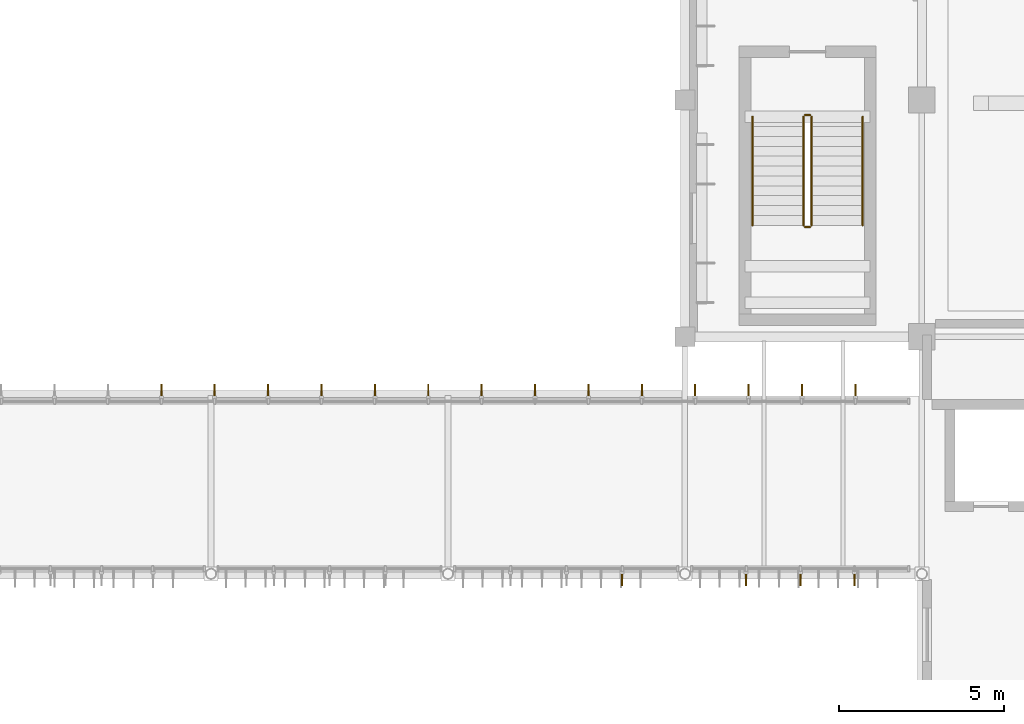
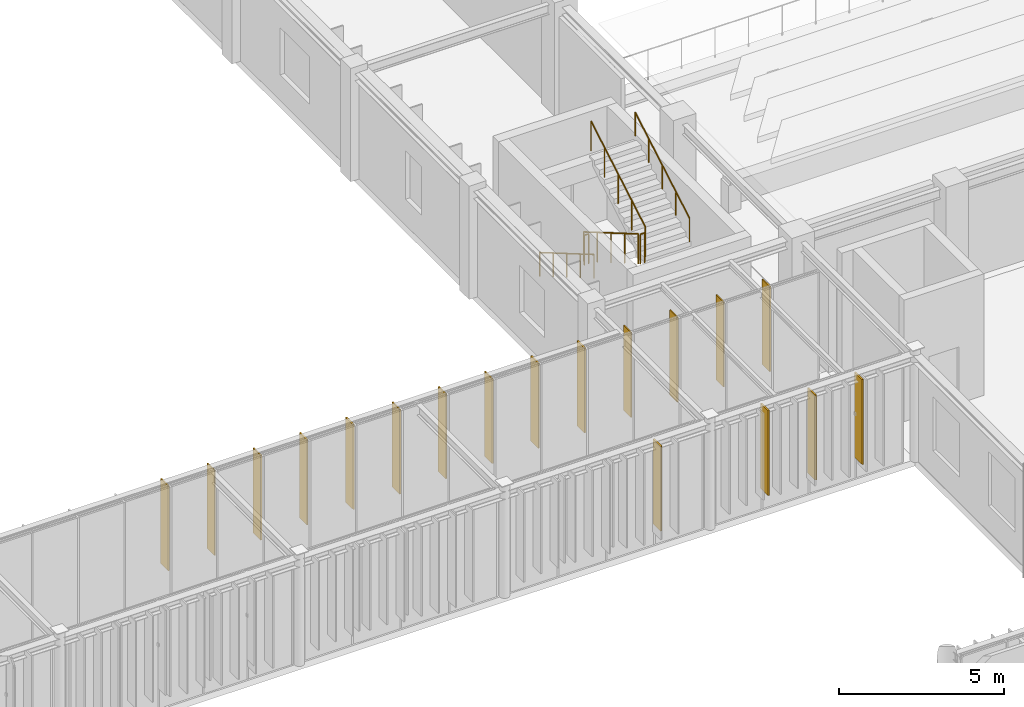
# One storey, part 92 of 104: 18 shading devices, 6 railings.
"""IFC4 building model written with IfcOpenShell, lengths in metres."""

from ifc_helpers import new_model, si_unit, direction, frame, origin, origin_2d, place, context, subcontext, project, spatial, rectangle, circle, extrude, material, layer, layer_set, material_profile, profile_set, type_object, element, save


model = new_model("IFC4")

# Units and contexts
model_context = context("Model", 3, precision=1e-05, world=origin(), true_north=direction((0.0, 1.0)))
body_context = subcontext(model_context, "Body", "Model", "MODEL_VIEW")
ifc_project = project(units=[si_unit("LENGTHUNIT", "METRE"), si_unit("AREAUNIT", "SQUARE_METRE"), si_unit("VOLUMEUNIT", "CUBIC_METRE"), si_unit("PLANEANGLEUNIT", "RADIAN"), si_unit("MASSUNIT", "GRAM", prefix="KILO")], contexts=[model_context])

# Site, building, storey
site_placement = place(None, origin())
site = spatial("IfcSite", under=ifc_project, at=site_placement, CompositionType="ELEMENT")
building_placement = place(site_placement, origin())
building = spatial("IfcBuilding", under=site, at=building_placement, Name="Tazoul Stagehouse", CompositionType="ELEMENT")
storey_placement = place(building_placement, frame((0.0, 0.0, 9.0)))
storey = spatial("IfcBuildingStorey", under=building, at=storey_placement, Name="L02", CompositionType="ELEMENT", Elevation=9.0)

# Shading devices
ifc_material_1 = material(Name="Anodised Bronze Aluminium 6063-T6", Category="aluminium")
ifc_layer_1 = layer(ifc_material_1, 0.050048828125, Name="Anodised Bronze Aluminium 6063-T6")
ifc_layer_set_1 = layer_set([ifc_layer_1], Name="Anodised Bronze Aluminium 6063-T6")
shading_device_type_1 = type_object("IfcShadingDeviceType", Name="Angled Acoustic Sun-Screen Blade 460", PredefinedType="USERDEFINED", material=ifc_layer_set_1)
for number, where, z_axis, x_axis, name in (
    (1, (48.493896484375, 44.469970703125, 0.75), (0.0, 0.0, 1.0), (1.0, 0.0, 0.0), "Shading Louvre FIN-02 CW-WLNK-S-L02-B3-SHD03"),
    (2, (52.259033203125, 44.469970703125, 0.75), (0.0, 0.0, 1.0), (1.0, 0.0, 0.0), "Shading Louvre FIN-02 CW-WLNK-S-L02-B4-SHD01"),
    (3, (55.552978515625, 44.469970703125, 0.75), (0.0, 0.0, 1.0), (1.0, 0.0, 0.0), "Shading Louvre FIN-02 CW-WLNK-S-L02-B4-SHD03"),
    (4, (36.111083984375, 50.1298828125, 0.75), (0.0, 0.0, 1.0), (1.0, 0.0, 0.0), "Shading Louvre FIN-02 CW-WLNK-N-L02-SHD05"),
    (5, (39.355712890625, 50.1298828125, 0.75), (0.0, 0.0, 1.0), (1.0, 0.0, 0.0), "Shading Louvre FIN-02 CW-WLNK-N-L02-SHD07"),
    (6, (42.60009765625, 50.1298828125, 0.75), (0.0, 0.0, 1.0), (1.0, 0.0, 0.0), "Shading Louvre FIN-02 CW-WLNK-N-L02-SHD09"),
    (7, (45.844482421875, 50.1298828125, 0.75), (0.0, 0.0, 1.0), (1.0, 0.0, 0.0), "Shading Louvre FIN-02 CW-WLNK-N-L02-SHD11"),
    (8, (49.0888671875, 50.1298828125, 0.75), (0.0, 0.0, 1.0), (1.0, 0.0, 0.0), "Shading Louvre FIN-02 CW-WLNK-N-L02-SHD13"),
    (9, (52.333251953125, 50.1298828125, 0.75), (0.0, 0.0, 1.0), (1.0, 0.0, 0.0), "Shading Louvre FIN-02 CW-WLNK-N-L02-SHD15"),
    (10, (55.577880859375, 50.1298828125, 0.75), (0.0, 0.0, 1.0), (1.0, 0.0, 0.0), "Shading Louvre FIN-02 CW-WLNK-N-L02-SHD17"),
):
    element("IfcShadingDevice", number, at=place(storey_placement, frame(where, z_axis=z_axis, x_axis=x_axis)), inside=storey, type_object=shading_device_type_1, Name=name, ObjectType="FIN", PredefinedType="USERDEFINED", context=body_context, shape_type="SweptSolid", body=[
        extrude(rectangle(XDim=0.044921875, YDim=0.4599609375, at=origin_2d()), origin(), (0.0, 0.0, 1.0), 3.14990234375),
    ])

# Railings
ifc_material_2 = material(Name="Brushed Stainless Steel 316L", Category="steel")
ifc_material_profile_1 = material_profile(ifc_material_2, circle(Radius=0.02392578125, at=origin_2d()), Name="SS RAIL D48")
ifc_profile_set_1 = profile_set([ifc_material_profile_1], Name="Brushed Stainless Steel 316L")
railing_type_1 = type_object("IfcRailingType", Name="Architectural Guardrail H1120", PredefinedType="GUARDRAIL", material=ifc_profile_set_1)
railing_1_placement = place(storey_placement, frame((54.0, 58.489990234375, 0.175048828125)))
element("IfcRailing", 11, at=railing_1_placement, inside=storey, type_object=railing_type_1, Name="L02 ST-05 stair guard 1", PredefinedType="GUARDRAIL", context=body_context, shape_type="SweptSolid", body=[
    extrude(circle(Radius=0.02392578125, at=origin_2d()), frame((0.0, 0.0, 1.09619140625), z_axis=(0.0, -0.863776583165, 0.503874998761), x_axis=(1.0, 0.0, 0.0)), (0.0, 0.0, 1.0), 3.820556640625),
    extrude(circle(Radius=0.02099609375, at=origin_2d()), origin(), (0.0, 0.0, 1.0), 1.072021484375),
    extrude(circle(Radius=0.02099609375, at=origin_2d()), frame((0.0, -0.824951171875, 0.481201171875)), (0.0, 0.0, 1.0), 1.072021484375),
    extrude(circle(Radius=0.02099609375, at=origin_2d()), frame((0.0, -1.64990234375, 0.96240234375)), (0.0, 0.0, 1.0), 1.072021484375),
    extrude(circle(Radius=0.02099609375, at=origin_2d()), frame((0.0, -2.47509765625, 1.44384765625)), (0.0, 0.0, 1.0), 1.072021484375),
    extrude(circle(Radius=0.02099609375, at=origin_2d()), frame((0.0, -3.300048828125, 1.925048828125)), (0.0, 0.0, 1.0), 1.072021484375),
])
railing_2_placement = place(storey_placement, frame((54.050048828125, 55.139892578125, 2.10009765625)))
element("IfcRailing", 12, at=railing_2_placement, inside=storey, type_object=railing_type_1, Name="L02 ST-05 stair guard 2", PredefinedType="GUARDRAIL", context=body_context, shape_type="SweptSolid", body=[
    extrude(circle(Radius=0.02392578125, at=origin_2d()), frame((0.0, 0.0, 1.09619140625), z_axis=(1.0, 0.0, 0.0), x_axis=(0.0, 1.0, 0.0)), (0.0, 0.0, 1.0), 0.14990234375),
    extrude(circle(Radius=0.02099609375, at=origin_2d()), origin(), (0.0, 0.0, 1.0), 1.072021484375),
    extrude(circle(Radius=0.02099609375, at=origin_2d()), frame((0.14990234375, 0.0, 0.0)), (0.0, 0.0, 1.0), 1.072021484375),
])
railing_3_placement = place(storey_placement, frame((54.25, 55.18994140625, 2.27490234375)))
element("IfcRailing", 13, at=railing_3_placement, inside=storey, type_object=railing_type_1, Name="L02 ST-05 stair guard 3", PredefinedType="GUARDRAIL", context=body_context, shape_type="SweptSolid", body=[
    extrude(circle(Radius=0.02392578125, at=origin_2d()), frame((0.0, 0.0, 1.09619140625), z_axis=(0.0, 0.863776583165, 0.503874998761), x_axis=(-1.0, 0.0, 0.0)), (0.0, 0.0, 1.0), 3.820556640625),
    extrude(circle(Radius=0.02099609375, at=origin_2d()), origin(), (0.0, 0.0, 1.0), 1.072021484375),
    extrude(circle(Radius=0.02099609375, at=origin_2d()), frame((0.0, 0.824951171875, 0.481201171875)), (0.0, 0.0, 1.0), 1.072021484375),
    extrude(circle(Radius=0.02099609375, at=origin_2d()), frame((0.0, 1.64990234375, 0.96240234375)), (0.0, 0.0, 1.0), 1.072021484375),
    extrude(circle(Radius=0.02099609375, at=origin_2d()), frame((0.0, 2.47509765625, 1.44384765625)), (0.0, 0.0, 1.0), 1.072021484375),
    extrude(circle(Radius=0.02099609375, at=origin_2d()), frame((0.0, 3.300048828125, 1.925048828125)), (0.0, 0.0, 1.0), 1.072021484375),
])
railing_4_placement = place(storey_placement, frame((54.050048828125, 58.5400390625, 0.0)))
element("IfcRailing", 14, at=railing_4_placement, inside=storey, type_object=railing_type_1, Name="L02 ST-05 stair guard 4", PredefinedType="GUARDRAIL", context=body_context, shape_type="SweptSolid", body=[
    extrude(circle(Radius=0.02392578125, at=origin_2d()), frame((0.0, 0.0, 1.09619140625), z_axis=(1.0, 0.0, 0.0), x_axis=(0.0, 1.0, 0.0)), (0.0, 0.0, 1.0), 0.14990234375),
    extrude(circle(Radius=0.02099609375, at=origin_2d()), origin(), (0.0, 0.0, 1.0), 1.072021484375),
    extrude(circle(Radius=0.02099609375, at=origin_2d()), frame((0.14990234375, 0.0, 0.0)), (0.0, 0.0, 1.0), 1.072021484375),
])
ifc_material_profile_2 = material_profile(ifc_material_2, circle(Radius=0.02099609375, at=origin_2d()), Name="SS HANDRAIL D42")
ifc_profile_set_2 = profile_set([ifc_material_profile_2], Name="Brushed Stainless Steel 316L")
railing_type_2 = type_object("IfcRailingType", Name="Continuous Stair Handrail H900", PredefinedType="HANDRAIL", material=ifc_profile_set_2)
railing_5_placement = place(storey_placement, frame((52.449951171875, 58.489990234375, 0.175048828125)))
element("IfcRailing", 15, at=railing_5_placement, inside=storey, type_object=railing_type_2, Name="L02 ST-05 stair handrail 1", PredefinedType="HANDRAIL", context=body_context, shape_type="SweptSolid", body=[
    extrude(circle(Radius=0.02392578125, at=origin_2d()), frame((0.0, 0.0, 0.8759765625), z_axis=(0.0, -0.863776583165, 0.503874998761), x_axis=(1.0, 0.0, 0.0)), (0.0, 0.0, 1.0), 3.820556640625),
    extrude(circle(Radius=0.02099609375, at=origin_2d()), origin(), (0.0, 0.0, 1.0), 0.851806640625),
    extrude(circle(Radius=0.02099609375, at=origin_2d()), frame((0.0, -0.824951171875, 0.481201171875)), (0.0, 0.0, 1.0), 0.851806640625),
    extrude(circle(Radius=0.02099609375, at=origin_2d()), frame((0.0, -1.64990234375, 0.96240234375)), (0.0, 0.0, 1.0), 0.851806640625),
    extrude(circle(Radius=0.02099609375, at=origin_2d()), frame((0.0, -2.47509765625, 1.44384765625)), (0.0, 0.0, 1.0), 0.851806640625),
    extrude(circle(Radius=0.02099609375, at=origin_2d()), frame((0.0, -3.300048828125, 1.925048828125)), (0.0, 0.0, 1.0), 0.851806640625),
])
railing_6_placement = place(storey_placement, frame((55.800048828125, 55.18994140625, 2.27490234375)))
element("IfcRailing", 16, at=railing_6_placement, inside=storey, type_object=railing_type_2, Name="L02 ST-05 stair handrail 2", PredefinedType="HANDRAIL", context=body_context, shape_type="SweptSolid", body=[
    extrude(circle(Radius=0.02392578125, at=origin_2d()), frame((0.0, 0.0, 0.8759765625), z_axis=(0.0, 0.863776583165, 0.503874998761), x_axis=(-1.0, 0.0, 0.0)), (0.0, 0.0, 1.0), 3.820556640625),
    extrude(circle(Radius=0.02099609375, at=origin_2d()), origin(), (0.0, 0.0, 1.0), 0.851806640625),
    extrude(circle(Radius=0.02099609375, at=origin_2d()), frame((0.0, 0.824951171875, 0.481201171875)), (0.0, 0.0, 1.0), 0.851806640625),
    extrude(circle(Radius=0.02099609375, at=origin_2d()), frame((0.0, 1.64990234375, 0.96240234375)), (0.0, 0.0, 1.0), 0.851806640625),
    extrude(circle(Radius=0.02099609375, at=origin_2d()), frame((0.0, 2.47509765625, 1.44384765625)), (0.0, 0.0, 1.0), 0.851806640625),
    extrude(circle(Radius=0.02099609375, at=origin_2d()), frame((0.0, 3.300048828125, 1.925048828125)), (0.0, 0.0, 1.0), 0.851806640625),
])

# Shading devices
ifc_layer_2 = layer(ifc_material_1, 0.044921875, Name="Anodised Bronze Aluminium 6063-T6")
ifc_layer_set_2 = layer_set([ifc_layer_2], Name="Anodised Bronze Aluminium 6063-T6")
shading_device_type_2 = type_object("IfcShadingDeviceType", Name="Vertical Extruded Terracotta-Bronze Louvre 460", PredefinedType="JALOUSIE", material=ifc_layer_set_2)
for number, where, z_axis, x_axis, name in (
    (17, (53.906005859375, 44.469970703125, 0.75), (0.0, 0.0, 1.0), (1.0, 0.0, 0.0), "Shading Louvre FIN-01 CW-WLNK-S-L02-B4-SHD02"),
    (18, (34.489013671875, 50.1298828125, 0.75), (0.0, 0.0, 1.0), (1.0, 0.0, 0.0), "Shading Louvre FIN-01 CW-WLNK-N-L02-SHD04"),
    (19, (37.7333984375, 50.1298828125, 0.75), (0.0, 0.0, 1.0), (1.0, 0.0, 0.0), "Shading Louvre FIN-01 CW-WLNK-N-L02-SHD06"),
    (20, (40.977783203125, 50.1298828125, 0.75), (0.0, 0.0, 1.0), (1.0, 0.0, 0.0), "Shading Louvre FIN-01 CW-WLNK-N-L02-SHD08"),
    (21, (44.22216796875, 50.1298828125, 0.75), (0.0, 0.0, 1.0), (1.0, 0.0, 0.0), "Shading Louvre FIN-01 CW-WLNK-N-L02-SHD10"),
    (22, (47.466796875, 50.1298828125, 0.75), (0.0, 0.0, 1.0), (1.0, 0.0, 0.0), "Shading Louvre FIN-01 CW-WLNK-N-L02-SHD12"),
    (23, (50.711181640625, 50.1298828125, 0.75), (0.0, 0.0, 1.0), (1.0, 0.0, 0.0), "Shading Louvre FIN-01 CW-WLNK-N-L02-SHD14"),
    (24, (53.95556640625, 50.1298828125, 0.75), (0.0, 0.0, 1.0), (1.0, 0.0, 0.0), "Shading Louvre FIN-01 CW-WLNK-N-L02-SHD16"),
):
    element("IfcShadingDevice", number, at=place(storey_placement, frame(where, z_axis=z_axis, x_axis=x_axis)), inside=storey, type_object=shading_device_type_2, Name=name, PredefinedType="JALOUSIE", context=body_context, shape_type="SweptSolid", body=[
        extrude(rectangle(XDim=0.044921875, YDim=0.4599609375, at=origin_2d()), origin(), (0.0, 0.0, 1.0), 3.14990234375),
    ])

save(model, "model.ifc")
